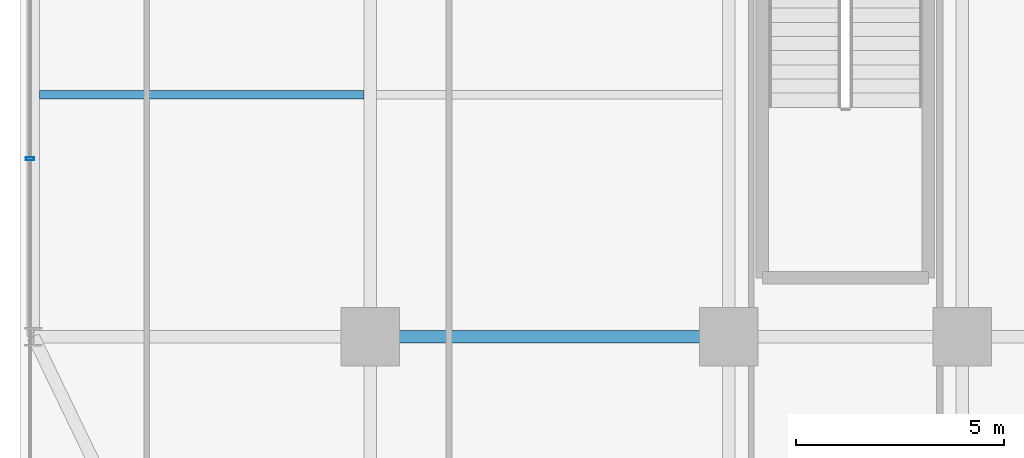
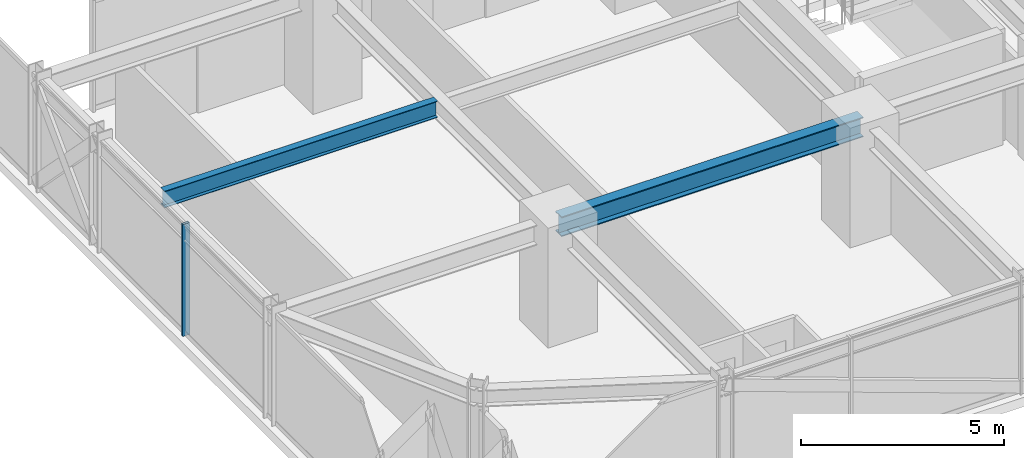
# One storey, part 5 of 41: 2 beams, 1 member, 1 element without a shape of its own.
"""IFC4 building model written with IfcOpenShell, lengths in metres."""

import ifcopenshell
import ifcopenshell.guid

model = None  # the IFC model being written
_history = None  # IfcOwnerHistory: only IFC2X3 demands one
_inside = {}  # id of a spatial element -> (the spatial element, [elements in it])
_under = {}  # id of a project, library or spatial element -> (it, [spatial elements below it])
_declared = {}  # id of a project -> (the project, [libraries it declares])
_typed = {}  # id of a type object -> (the type object, [elements of that type])
_made_of = {}  # id of a material, layer set ... -> (it, [elements and type objects made of it])


def new_model(schema):
    """Start an empty IFC model of exactly this schema.

    Asked for "IFC4X3", IfcOpenShell would pick the latest addendum, in which some entities
    have other attributes; the version numbers below select the first issue.
    IFC2X3 requires an IfcOwnerHistory on every rooted entity: one is made here for all.
    """
    global model, _history
    if schema == "IFC4X3":
        model = ifcopenshell.file(schema_version=(4, 3, 0, 0))
    else:
        model = ifcopenshell.file(schema=schema)
    _inside.clear()
    _under.clear()
    _declared.clear()
    _typed.clear()
    _made_of.clear()
    _history = None
    if model.schema == "IFC2X3":
        org = make("IfcOrganization", Name="unknown")
        user = make(
            "IfcPersonAndOrganization",
            ThePerson=make("IfcPerson", FamilyName="unknown"),
            TheOrganization=org,
        )
        app = make(
            "IfcApplication",
            ApplicationDeveloper=org,
            Version="unknown",
            ApplicationFullName="unknown",
            ApplicationIdentifier="unknown",
        )
        _history = make(
            "IfcOwnerHistory",
            OwningUser=user,
            OwningApplication=app,
            ChangeAction="ADDED",
            CreationDate=0,
        )
    return model


def make(cls, **values):
    """One entity of the class cls with the attributes given. An attribute that is None is left unset."""
    return model.create_entity(
        cls, **{name: value for name, value in values.items() if value is not None}
    )


def rooted(cls, **values):
    """An entity with a GlobalId (a new one), such as an element, a storey or a relation."""
    return make(cls, GlobalId=ifcopenshell.guid.new(), OwnerHistory=_history, **values)


def si_unit(unit_type, name, prefix=None):
    """IfcSIUnit, for example si_unit("LENGTHUNIT", "METRE", prefix="MILLI")."""
    return make("IfcSIUnit", UnitType=unit_type, Prefix=prefix, Name=name)


def assignment(units):
    """IfcUnitAssignment: the units of a project."""
    return None if units is None else make("IfcUnitAssignment", Units=units)


def point(xyz):
    """IfcCartesianPoint."""
    return None if xyz is None else make("IfcCartesianPoint", Coordinates=xyz)


def direction(xyz):
    """IfcDirection."""
    return None if xyz is None else make("IfcDirection", DirectionRatios=xyz)


def frame(location, z_axis=None, x_axis=None):
    """IfcAxis2Placement3D, a coordinate frame: its origin and axes. An axis left out is left unset."""
    return make(
        "IfcAxis2Placement3D",
        Location=point(location),
        Axis=direction(z_axis),
        RefDirection=direction(x_axis),
    )


def frame_2d(location, x_axis=None):
    """IfcAxis2Placement2D, a coordinate frame in the plane: its origin and x axis."""
    return make(
        "IfcAxis2Placement2D", Location=point(location), RefDirection=direction(x_axis)
    )


def origin():
    """The frame at (0, 0, 0) with its axes left unset."""
    return frame((0.0, 0.0, 0.0))


def origin_2d():
    """The frame at (0, 0) in the plane with its x axis left unset."""
    return frame_2d((0.0, 0.0))


def place(relative_to, where):
    """IfcLocalPlacement: puts the frame where relative to a parent placement (None: the world)."""
    return make(
        "IfcLocalPlacement", PlacementRelTo=relative_to, RelativePlacement=where
    )


def context(
    kind, dimensions, precision=None, world=None, true_north=None, identifier=None
):
    """IfcGeometricRepresentationContext, for example the 3D "Model" context."""
    return make(
        "IfcGeometricRepresentationContext",
        ContextIdentifier=identifier,
        ContextType=kind,
        CoordinateSpaceDimension=dimensions,
        Precision=precision,
        WorldCoordinateSystem=world,
        TrueNorth=true_north,
    )


def subcontext(parent, identifier, kind, view, scale=None):
    """IfcGeometricRepresentationSubContext, for example "Body" below "Model"."""
    return make(
        "IfcGeometricRepresentationSubContext",
        ContextIdentifier=identifier,
        ContextType=kind,
        ParentContext=parent,
        TargetScale=scale,
        TargetView=view,
    )


def project(units=None, contexts=None):
    """IfcProject with its units and contexts."""
    return rooted(
        "IfcProject",
        Name="project",
        RepresentationContexts=contexts,
        UnitsInContext=assignment(units),
    )


def spatial(cls, under=None, at=None, **own):
    """A site, building, storey or space (cls), placed at a placement, below another one or the project."""
    s = rooted(cls, ObjectPlacement=at, **own)
    if under is not None:
        _under.setdefault(under.id(), (under, []))[1].append(s)
    return s


def profile(cls, at=None, kind="AREA", **sizes):
    """A parametric profile (cls). Its sizes go by their IFC names, for example OverallWidth=200.0."""
    return make(cls, ProfileType=kind, Position=at, **sizes)


def hollow_rectangle(**sizes):
    """IfcRectangleHollowProfileDef."""
    return profile("IfcRectangleHollowProfileDef", **sizes)


def i_section(**sizes):
    """IfcIShapeProfileDef."""
    return profile("IfcIShapeProfileDef", **sizes)


def extrude(swept, where, along, depth):
    """IfcExtrudedAreaSolid: the profile swept, set in the frame where, extruded along a direction by depth."""
    return make(
        "IfcExtrudedAreaSolid",
        SweptArea=swept,
        Position=where,
        ExtrudedDirection=direction(along),
        Depth=depth,
    )


def shape(context_of_items, identifier, shape_type, items):
    """IfcShapeRepresentation: the items that make up one representation, for example the "Body"."""
    return make(
        "IfcShapeRepresentation",
        ContextOfItems=context_of_items,
        RepresentationIdentifier=identifier,
        RepresentationType=shape_type,
        Items=items,
    )


def source(mapping_origin, context_of_items, identifier, shape_type, items):
    """IfcRepresentationMap: a shape defined once, which mapped items show again and again."""
    return make(
        "IfcRepresentationMap",
        MappingOrigin=mapping_origin,
        MappedRepresentation=shape(context_of_items, identifier, shape_type, items),
    )


def transform(
    local_origin,
    x_axis=None,
    y_axis=None,
    z_axis=None,
    scale=None,
    scale2=None,
    scale3=None,
    uniform=True,
):
    """IfcCartesianTransformationOperator3D, or its non-uniform kind. x_axis, y_axis, z_axis: its Axis1, 2, 3."""
    if uniform:
        return make(
            "IfcCartesianTransformationOperator3D",
            Axis1=direction(x_axis),
            Axis2=direction(y_axis),
            LocalOrigin=point(local_origin),
            Scale=scale,
            Axis3=direction(z_axis),
        )
    return make(
        "IfcCartesianTransformationOperator3DnonUniform",
        Axis1=direction(x_axis),
        Axis2=direction(y_axis),
        LocalOrigin=point(local_origin),
        Scale=scale,
        Axis3=direction(z_axis),
        Scale2=scale2,
        Scale3=scale3,
    )


def mapped(mapping_source, mapping_target):
    """IfcMappedItem: shows the shape of a source again, moved by a transform."""
    return make(
        "IfcMappedItem", MappingSource=mapping_source, MappingTarget=mapping_target
    )


def material(Name=None, Category=None):
    """IfcMaterial."""
    return make("IfcMaterial", Name=Name, Category=Category)


def material_profile(
    of_material, cross_section, Name=None, Category=None, Priority=None
):
    """IfcMaterialProfile: a cross section and its material."""
    return make(
        "IfcMaterialProfile",
        Name=Name,
        Material=of_material,
        Profile=cross_section,
        Priority=Priority,
        Category=Category,
    )


def profile_set(profiles, Name=None, composite=None):
    """IfcMaterialProfileSet."""
    return make(
        "IfcMaterialProfileSet",
        Name=Name,
        MaterialProfiles=profiles,
        CompositeProfile=composite,
    )


def made_of(thing, what):
    """Note that an element or type object is made of a material, layer set ...; save() writes the relation."""
    if what is not None:
        _made_of.setdefault(what.id(), (what, []))[1].append(thing)
    return thing


def type_object(cls, material=None, **own):
    """A type object (cls), such as IfcWallType, which elements share."""
    return made_of(rooted(cls, **own), material)


def element(
    cls,
    number,
    at=None,
    inside=None,
    cuts=None,
    type_object=None,
    material=None,
    context=None,
    identifier="Body",
    shape_type=None,
    held_by="IfcProductDefinitionShape",
    body=None,
    shapes=None,
    **own,
):
    """One element of the class cls, such as IfcWall. Its Tag is "e" and its number.

    at: its placement. inside: the storey or other place that contains it. cuts: it is an
    opening in that element (IfcRelVoidsElement). A single representation is given by context,
    identifier, shape_type and body (its items); several are given by shapes. held_by: the class
    of the entity that holds the representations. save() writes the other relations.
    """
    e = rooted(cls, Tag="e%d" % number, ObjectPlacement=at, **own)
    if body is not None:
        shapes = [shape(context, identifier, shape_type, body)]
    if shapes is not None:
        e.Representation = make(held_by, Representations=shapes)
    if inside is not None:
        _inside.setdefault(inside.id(), (inside, []))[1].append(e)
    if cuts is not None:
        rooted(
            "IfcRelVoidsElement", RelatingBuildingElement=cuts, RelatedOpeningElement=e
        )
    if type_object is not None:
        _typed.setdefault(type_object.id(), (type_object, []))[1].append(e)
    return made_of(e, material)


def aggregate(whole, parts):
    """IfcRelAggregates: a whole, such as a stair, and the parts it consists of."""
    return rooted("IfcRelAggregates", RelatingObject=whole, RelatedObjects=parts)


def save(model, path):
    """Write the relations noted so far, then the file.

    IfcRelAggregates (storeys below a building ...), IfcRelContainedInSpatialStructure (elements
    in a storey), IfcRelDefinesByType, IfcRelAssociatesMaterial and IfcRelDeclares: one each for
    every whole, place, type object, material and project.
    """
    for whole, parts in _under.values():
        aggregate(whole, parts)
    for where, things in _inside.values():
        rooted(
            "IfcRelContainedInSpatialStructure",
            RelatedElements=things,
            RelatingStructure=where,
        )
    for kind, things in _typed.values():
        rooted("IfcRelDefinesByType", RelatedObjects=things, RelatingType=kind)
    for what, things in _made_of.values():
        rooted("IfcRelAssociatesMaterial", RelatedObjects=things, RelatingMaterial=what)
    for by, libraries in _declared.values():
        rooted("IfcRelDeclares", RelatingContext=by, RelatedDefinitions=libraries)
    model.write(path)


model = new_model("IFC4")

# Units and contexts
model_context = context("Model", 3, precision=1e-05, world=origin(), true_north=direction((0.0, 1.0)))
body_context = subcontext(model_context, "Body", "Model", "MODEL_VIEW")
ifc_project = project(units=[si_unit("LENGTHUNIT", "METRE"), si_unit("AREAUNIT", "SQUARE_METRE"), si_unit("VOLUMEUNIT", "CUBIC_METRE"), si_unit("PLANEANGLEUNIT", "RADIAN"), si_unit("MASSUNIT", "GRAM", prefix="KILO")], contexts=[model_context])

# Site, building, storey
site_placement = place(None, origin())
site = spatial("IfcSite", under=ifc_project, at=site_placement, CompositionType="ELEMENT")
building_placement = place(site_placement, origin())
building = spatial("IfcBuilding", under=site, at=building_placement, Name="Nahalor Promenade Grand Hotel", CompositionType="ELEMENT")
storey_placement = place(building_placement, frame((0.0, 0.0, 54.300048828125)))
storey = spatial("IfcBuildingStorey", under=building, at=storey_placement, Name="L12", CompositionType="ELEMENT", Elevation=54.300048828125)

# Beams
ifc_material_1 = material(Name="Steel S355JR", Category="steel")
ifc_material_profile_1 = material_profile(ifc_material_1, i_section(OverallWidth=0.3, OverallDepth=0.6, WebThickness=0.0155, FlangeThickness=0.03, at=origin_2d()), Name="HEB 600")
ifc_profile_set_1 = profile_set([ifc_material_profile_1], Name="Steel S355JR")
beam_type_1 = type_object("IfcBeamType", Name="Beam-Girder-HEB600", PredefinedType="BEAM", material=ifc_profile_set_1)
shared_shape_1 = source(origin(), body_context, "Body", "SweptSolid", [
    extrude(i_section(OverallWidth=0.3, OverallDepth=0.6, WebThickness=0.0155, FlangeThickness=0.03, at=origin_2d()), origin(), (0.0, 0.0, 1.0), 8.60009765625),
])
beam_1_placement = place(storey_placement, frame((-17.0, -17.0, 3.070068359375), z_axis=(1.0, 0.0, 0.0), x_axis=(0.0, 1.0, 0.0)))
element("IfcBeam", 1, at=beam_1_placement, inside=storey, type_object=beam_type_1, Name="BM-L12-GX-0-1", PredefinedType="BEAM", context=body_context, shape_type="MappedRepresentation", body=[
    mapped(shared_shape_1, transform((0.0, 0.0, 0.0), scale=1.0)),
])
ifc_material_profile_2 = material_profile(ifc_material_1, i_section(OverallWidth=0.2, OverallDepth=0.5, WebThickness=0.0102, FlangeThickness=0.016, at=origin_2d()), Name="IPE 500")
ifc_profile_set_2 = profile_set([ifc_material_profile_2], Name="Steel S355JR")
beam_type_2 = type_object("IfcBeamType", Name="Beam-Joist-IPE500", PredefinedType="JOIST", material=ifc_profile_set_2)
shared_shape_2 = source(origin(), body_context, "Body", "SweptSolid", [
    extrude(i_section(OverallWidth=0.2, OverallDepth=0.5, WebThickness=0.0102, FlangeThickness=0.016, at=origin_2d()), origin(), (0.0, 0.0, 1.0), 7.780029296875),
])
beam_2_placement = place(storey_placement, frame((-24.929931640625, -11.199951171875, 3.119873046875), z_axis=(1.0, 0.0, 0.0), x_axis=(0.0, 1.0, 0.0)))
element("IfcBeam", 2, at=beam_2_placement, inside=storey, type_object=beam_type_2, Name="BM-L12-JSW-0-0", PredefinedType="JOIST", context=body_context, shape_type="MappedRepresentation", body=[
    mapped(shared_shape_2, transform((0.0, 0.0, 0.0), scale=1.0)),
])

# Curtain wall, member
ifc_material_2 = material(Name="Anodised Bronze Aluminium EN AW-6063 T6", Category="aluminium")
curtain_wall_type = type_object("IfcCurtainWallType", Name="CW3 Elliptical-Void Collar Unitised Curtain Wall", PredefinedType="USERDEFINED", material=ifc_material_2)
curtain_wall_placement = place(storey_placement, origin())
curtain_wall = element("IfcCurtainWall", 3, at=curtain_wall_placement, inside=storey, type_object=curtain_wall_type, Name="L12 Curtain Wall CW-L12-W-1", ObjectType="UNITISED_CURTAIN_WALL", PredefinedType="USERDEFINED")
ifc_material_profile_3 = material_profile(ifc_material_2, hollow_rectangle(XDim=0.07, YDim=0.2, WallThickness=0.005, at=origin_2d()), Name="CWM 70x200x5")
ifc_profile_set_3 = profile_set([ifc_material_profile_3], Name="Anodised Bronze Aluminium EN AW-6063 T6")
member_type = type_object("IfcMemberType", Name="CWM3 Void Collar Mullion 70x200", PredefinedType="MULLION", material=ifc_profile_set_3)
shared_shape_3 = source(origin(), body_context, "Body", "SweptSolid", [
    extrude(hollow_rectangle(XDim=0.07, YDim=0.2, WallThickness=0.005, at=origin_2d()), origin(), (0.0, 0.0, 1.0), 3.369873046875),
])
member_placement = place(storey_placement, frame((-25.159912109375, -12.72998046875, 0.0), z_axis=(0.0, 0.0, 1.0), x_axis=(0.0, 1.0, 0.0)))
member = element("IfcMember", 4, at=member_placement, type_object=member_type, Name="CW-L12-W-1 Mullion 1", PredefinedType="MULLION", context=body_context, shape_type="MappedRepresentation", body=[
    mapped(shared_shape_3, transform((0.0, 0.0, 0.0), scale=1.0)),
])
aggregate(curtain_wall, [member])

save(model, "model.ifc")
